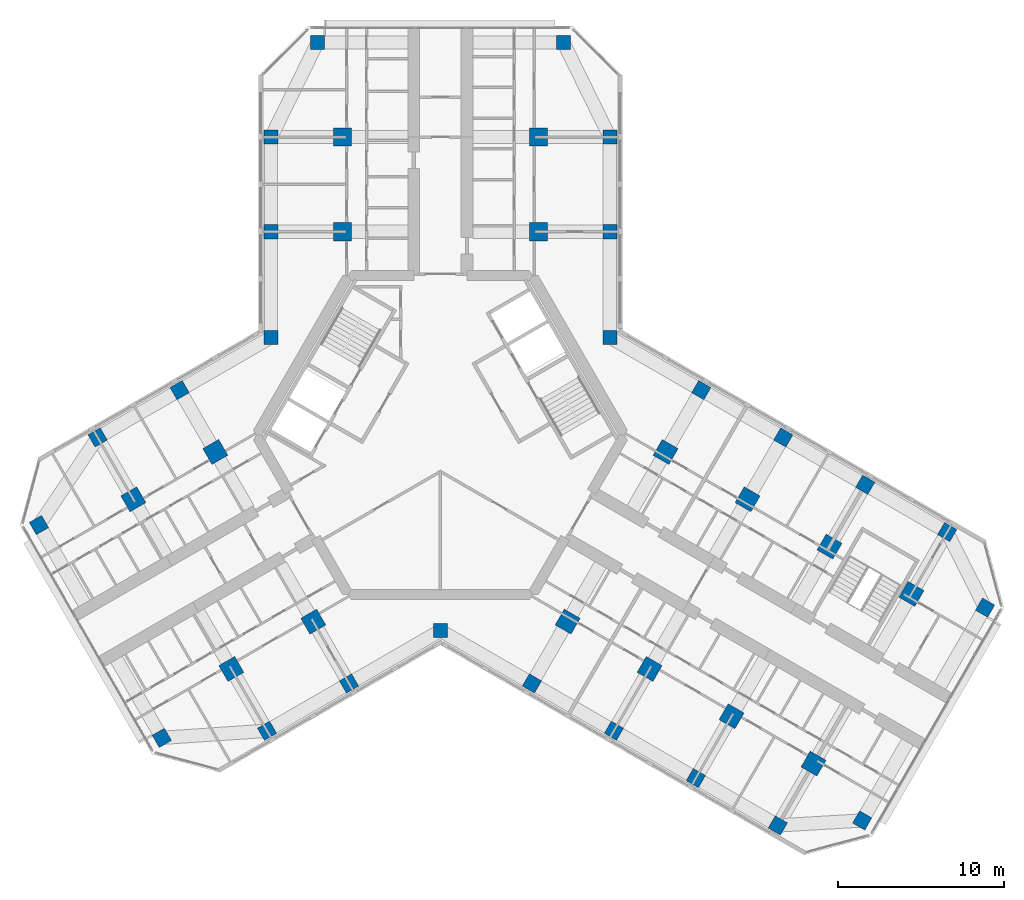
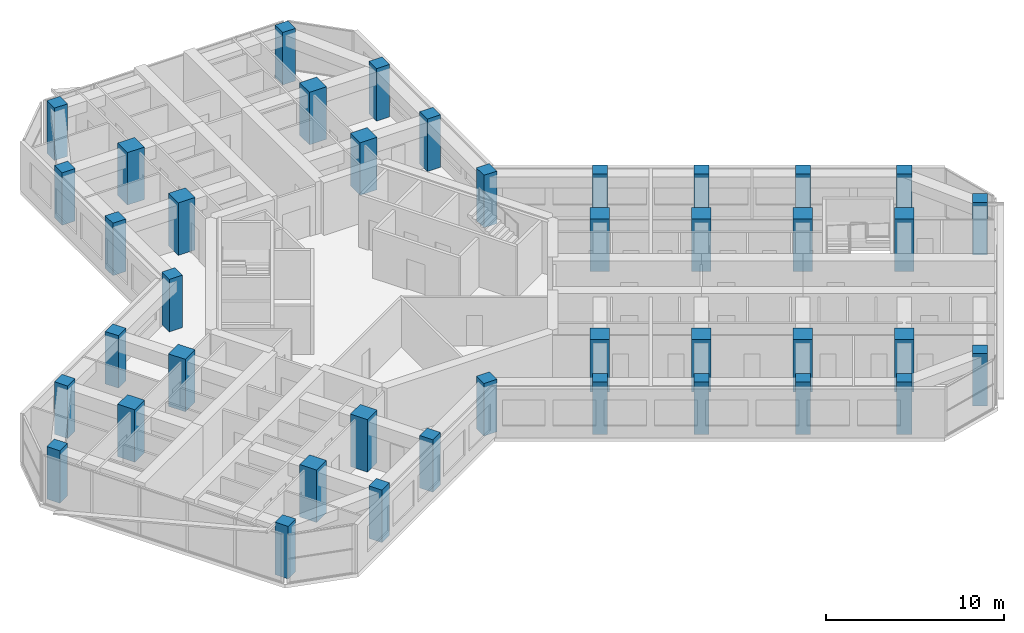
# One storey, part 1 of 16: 41 columns.
"""IFC4 building model written with IfcOpenShell, lengths in metres."""

from ifc_helpers import new_model, si_unit, direction, frame, origin, origin_2d, place, context, subcontext, project, spatial, rectangle, extrude, material, material_profile, profile_set, type_object, element, save


model = new_model("IFC4")

# Units and contexts
model_context = context("Model", 3, precision=1e-05, world=origin(), true_north=direction((0.0, 1.0)))
body_context = subcontext(model_context, "Body", "Model", "MODEL_VIEW")
ifc_project = project(units=[si_unit("LENGTHUNIT", "METRE"), si_unit("AREAUNIT", "SQUARE_METRE"), si_unit("VOLUMEUNIT", "CUBIC_METRE"), si_unit("PLANEANGLEUNIT", "RADIAN"), si_unit("MASSUNIT", "GRAM", prefix="KILO")], contexts=[model_context])

# Site, building, storey
site_placement = place(None, origin())
site = spatial("IfcSite", under=ifc_project, at=site_placement, CompositionType="ELEMENT")
building_placement = place(site_placement, origin())
building = spatial("IfcBuilding", under=site, at=building_placement, Name="Kosmar Iwan School Tower", CompositionType="ELEMENT")
storey_placement = place(building_placement, frame((0.0, 0.0, 246.0)))
storey = spatial("IfcBuildingStorey", under=building, at=storey_placement, Name="L62", CompositionType="ELEMENT", Elevation=246.0)

# Columns
ifc_material_1 = material(Name="Concrete C50/60", Category="concrete")
ifc_material_profile_1 = material_profile(ifc_material_1, rectangle(XDim=0.85009765625, YDim=0.85009765625, at=origin_2d()), Name="RC 850x850 + HD 400x347")
ifc_profile_set_1 = profile_set([ifc_material_profile_1], Name="Concrete C50/60")
column_type_1 = type_object("IfcColumnType", Name="Composite column 850x850 HD 400x347", PredefinedType="COLUMN", material=ifc_profile_set_1)
for number, where, z_axis, x_axis, name in (
    (1, (-10.199951171875, 12.25, 0.0), (0.0, 0.0, 1.0), (0.0, 1.0, 0.0), "Column AL1 L62"),
    (2, (-10.199951171875, 17.949951171875, 0.0), (0.0, 0.0, 1.0), (0.0, 1.0, 0.0), "Column AL2 L62"),
    (3, (-7.39990234375, 23.64990234375, 0.0), (0.0, 0.0, 1.0), (0.0, 1.0, 0.0), "Column ALTIP L62"),
    (4, (10.199951171875, 12.25, 0.0), (0.0, 0.0, 1.0), (0.0, 1.0, 0.0), "Column AR1 L62"),
    (5, (10.199951171875, 17.949951171875, 0.0), (0.0, 0.0, 1.0), (0.0, 1.0, 0.0), "Column AR2 L62"),
    (6, (7.39990234375, 23.64990234375, 0.0), (0.0, 0.0, 1.0), (0.0, 1.0, 0.0), "Column ARTIP L62"),
    (7, (-5.5087890625, -14.95849609375, 0.0), (0.0, 0.0, 1.0), (-0.866025403784, -0.5, 0.0), "Column BL1 L62"),
    (8, (-10.445068359375, -17.808349609375, 0.0), (0.0, 0.0, 1.0), (-0.866025403784, -0.5, 0.0), "Column BL2 L62"),
    (9, (-16.781494140625, -18.233642578125, 0.0), (0.0, 0.0, 1.0), (-0.866025403784, -0.5, 0.0), "Column BLTIP L62"),
    (10, (-15.708740234375, 2.70849609375, 0.0), (0.0, 0.0, 1.0), (-0.866025403784, -0.5, 0.0), "Column BR1 L62"),
    (11, (-20.645263671875, -0.1416015625, 0.0), (0.0, 0.0, 1.0), (-0.866025403784, -0.5, 0.0), "Column BR2 L62"),
    (12, (-24.181396484375, -5.41650390625, 0.0), (0.0, 0.0, 1.0), (-0.866025403784, -0.5, 0.0), "Column BRTIP L62"),
    (13, (15.708740234375, 2.70849609375, 0.0), (0.0, 0.0, 1.0), (0.866025403784, -0.5, 0.0), "Column CL1 L62"),
    (14, (20.645263671875, -0.1416015625, 0.0), (0.0, 0.0, 1.0), (0.866025403784, -0.5, 0.0), "Column CL2 L62"),
    (15, (25.58154296875, -2.991455078125, 0.0), (0.0, 0.0, 1.0), (0.866025403784, -0.5, 0.0), "Column CL3 L62"),
    (16, (30.517822265625, -5.841552734375, 0.0), (0.0, 0.0, 1.0), (0.866025403784, -0.5, 0.0), "Column CL4 L62"),
    (17, (32.79833984375, -10.391357421875, 0.0), (0.0, 0.0, 1.0), (0.866025403784, -0.5, 0.0), "Column CLTIP L62"),
    (18, (5.5087890625, -14.95849609375, 0.0), (0.0, 0.0, 1.0), (0.866025403784, -0.5, 0.0), "Column CR1 L62"),
    (19, (10.445068359375, -17.808349609375, 0.0), (0.0, 0.0, 1.0), (0.866025403784, -0.5, 0.0), "Column CR2 L62"),
    (20, (15.381591796875, -20.658447265625, 0.0), (0.0, 0.0, 1.0), (0.866025403784, -0.5, 0.0), "Column CR3 L62"),
    (21, (20.31787109375, -23.508544921875, 0.0), (0.0, 0.0, 1.0), (0.866025403784, -0.5, 0.0), "Column CR4 L62"),
    (22, (25.3984375, -23.20849609375, 0.0), (0.0, 0.0, 1.0), (0.866025403784, -0.5, 0.0), "Column CRTIP L62"),
    (23, (-10.199951171875, 5.888916015625, 0.0), (0.0, 0.0, 1.0), (1.0, 0.0, 0.0), "Column RAB L62"),
    (24, (10.199951171875, 5.888916015625, 0.0), (0.0, 0.0, 1.0), (1.0, 0.0, 0.0), "Column RAC L62"),
    (25, (0.0, -11.77783203125, 0.0), (0.0, 0.0, 1.0), (1.0, 0.0, 0.0), "Column RBC L62"),
):
    element("IfcColumn", number, at=place(storey_placement, frame(where, z_axis=z_axis, x_axis=x_axis)), inside=storey, type_object=column_type_1, Name=name, PredefinedType="COLUMN", context=body_context, shape_type="SweptSolid", body=[
        extrude(rectangle(XDim=0.85009765625, YDim=0.85009765625, at=origin_2d()), origin(), (0.0, 0.0, 1.0), 3.60009765625),
    ])
ifc_material_2 = material(Name="Concrete C50/60", Category="concrete")
ifc_material_profile_2 = material_profile(ifc_material_2, rectangle(XDim=1.10009765625, YDim=1.10009765625, at=origin_2d()), Name="RC 1100x1100")
ifc_profile_set_2 = profile_set([ifc_material_profile_2], Name="Concrete C50/60")
column_type_2 = type_object("IfcColumnType", Name="RC interior column 1100x1100", PredefinedType="COLUMN", material=ifc_profile_set_2)
for number, where, z_axis, x_axis, name in (
    (26, (-5.89990234375, 12.25, 0.0), (0.0, 0.0, 1.0), (0.0, 1.0, 0.0), "Interior column ALI1 L62"),
    (27, (-5.89990234375, 17.949951171875, 0.0), (0.0, 0.0, 1.0), (0.0, 1.0, 0.0), "Interior column ALI2 L62"),
    (28, (5.89990234375, 12.25, 0.0), (0.0, 0.0, 1.0), (0.0, 1.0, 0.0), "Interior column ARI1 L62"),
    (29, (5.89990234375, 17.949951171875, 0.0), (0.0, 0.0, 1.0), (0.0, 1.0, 0.0), "Interior column ARI2 L62"),
    (30, (-7.65869140625, -11.234619140625, 0.0), (0.0, 0.0, 1.0), (-0.866025403784, -0.5, 0.0), "Interior column BLI1 L62"),
    (31, (-12.59521484375, -14.08447265625, 0.0), (0.0, 0.0, 1.0), (-0.866025403784, -0.5, 0.0), "Interior column BLI2 L62"),
    (32, (-13.558837890625, -1.015380859375, 0.0), (0.0, 0.0, 1.0), (-0.866025403784, -0.5, 0.0), "Interior column BRI1 L62"),
    (33, (-18.4951171875, -3.865478515625, 0.0), (0.0, 0.0, 1.0), (-0.866025403784, -0.5, 0.0), "Interior column BRI2 L62"),
    (34, (13.558837890625, -1.015380859375, 0.0), (0.0, 0.0, 1.0), (0.866025403784, -0.5, 0.0), "Interior column CLI1 L62"),
    (35, (18.4951171875, -3.865478515625, 0.0), (0.0, 0.0, 1.0), (0.866025403784, -0.5, 0.0), "Interior column CLI2 L62"),
    (36, (23.431396484375, -6.71533203125, 0.0), (0.0, 0.0, 1.0), (0.866025403784, -0.5, 0.0), "Interior column CLI3 L62"),
    (37, (28.367919921875, -9.5654296875, 0.0), (0.0, 0.0, 1.0), (0.866025403784, -0.5, 0.0), "Interior column CLI4 L62"),
    (38, (7.65869140625, -11.234619140625, 0.0), (0.0, 0.0, 1.0), (0.866025403784, -0.5, 0.0), "Interior column CRI1 L62"),
    (39, (12.59521484375, -14.08447265625, 0.0), (0.0, 0.0, 1.0), (0.866025403784, -0.5, 0.0), "Interior column CRI2 L62"),
    (40, (17.531494140625, -16.9345703125, 0.0), (0.0, 0.0, 1.0), (0.866025403784, -0.5, 0.0), "Interior column CRI3 L62"),
    (41, (22.4677734375, -19.78466796875, 0.0), (0.0, 0.0, 1.0), (0.866025403784, -0.5, 0.0), "Interior column CRI4 L62"),
):
    element("IfcColumn", number, at=place(storey_placement, frame(where, z_axis=z_axis, x_axis=x_axis)), inside=storey, type_object=column_type_2, Name=name, PredefinedType="COLUMN", context=body_context, shape_type="SweptSolid", body=[
        extrude(rectangle(XDim=1.10009765625, YDim=1.10009765625, at=origin_2d()), origin(), (0.0, 0.0, 1.0), 3.60009765625),
    ])

save(model, "model.ifc")
